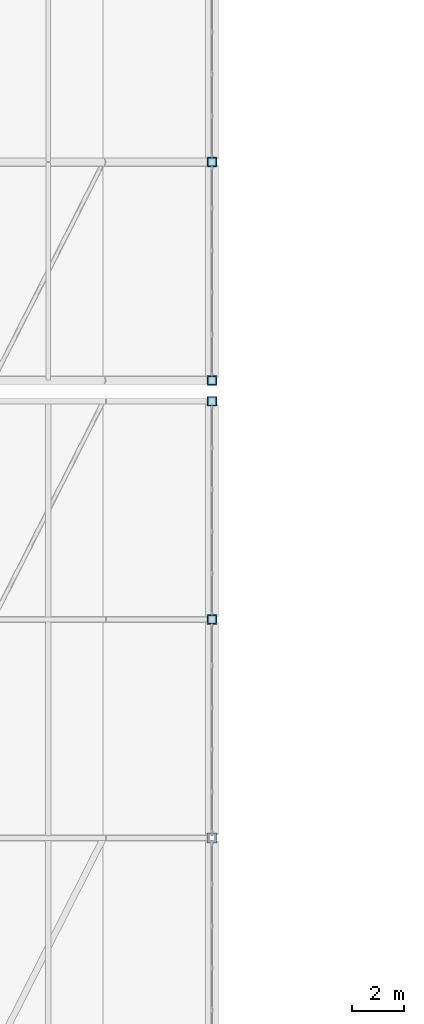
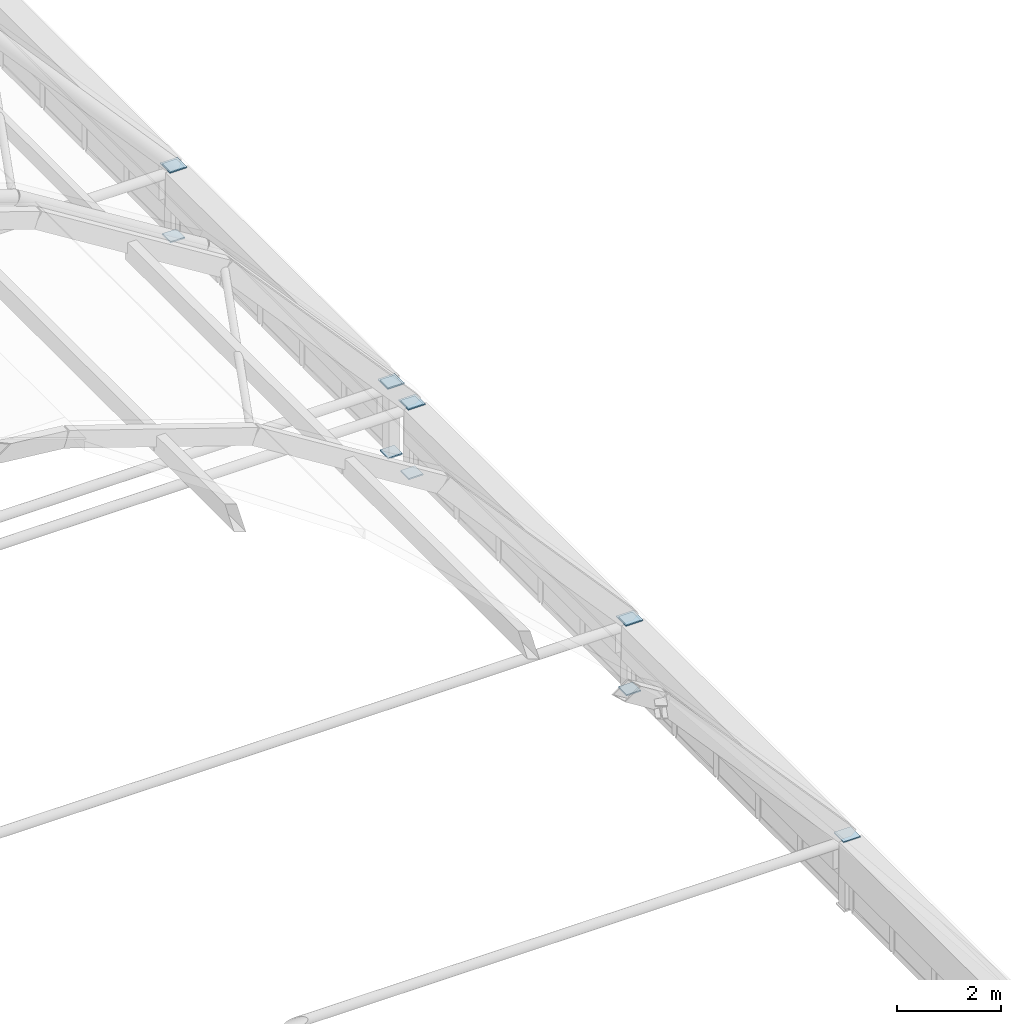
# One storey, part 100 of 114: 13 plates.
"""IFC4 building model written with IfcOpenShell, lengths in metres."""

from ifc_helpers import new_model, si_unit, direction, frame, origin, origin_2d, place, context, subcontext, project, spatial, rectangle, extrude, material, layer, layer_set, type_object, element, save


model = new_model("IFC4")

# Units and contexts
model_context = context("Model", 3, precision=1e-05, world=origin(), true_north=direction((0.0, 1.0)))
body_context = subcontext(model_context, "Body", "Model", "MODEL_VIEW")
ifc_project = project(units=[si_unit("LENGTHUNIT", "METRE"), si_unit("AREAUNIT", "SQUARE_METRE"), si_unit("VOLUMEUNIT", "CUBIC_METRE"), si_unit("PLANEANGLEUNIT", "RADIAN"), si_unit("MASSUNIT", "GRAM", prefix="KILO")], contexts=[model_context])

# Site, building, storey
site_placement = place(None, origin())
site = spatial("IfcSite", under=ifc_project, at=site_placement, CompositionType="ELEMENT")
building_placement = place(site_placement, origin())
building = spatial("IfcBuilding", under=site, at=building_placement, Name="Xazarin Passage Department Store", CompositionType="ELEMENT")
storey_placement = place(building_placement, frame((0.0, 0.0, 14.39990234375)))
storey = spatial("IfcBuildingStorey", under=building, at=storey_placement, Name="L03", CompositionType="ELEMENT", Elevation=14.39990234375)

# Plates
ifc_material = material(Name="Steel S355", Category="steel")
ifc_layer = layer(ifc_material, 0.02392578125)
ifc_layer_set = layer_set([ifc_layer], Name="Steel S355")
plate_type = type_object("IfcPlateType", Name="STR-PLT-CAP24", PredefinedType="USERDEFINED", material=ifc_layer_set)
for number, where, z_axis, x_axis, name in (
    (1, (101.60009765625, 42.0, -0.01611328125), (0.0, 0.0, 1.0), (1.0, 0.0, 0.0), "V2S Drum Column End Cap E-6-B"),
    (2, (101.60009765625, 42.0, 1.6357421875), (0.0, 0.0, 1.0), (1.0, 0.0, 0.0), "V2S Drum Column End Cap E-6-T"),
    (3, (101.60009765625, 50.39990234375, -0.01611328125), (0.0, 0.0, 1.0), (1.0, 0.0, 0.0), "V2S Drum Column End Cap E-7-B"),
    (4, (101.60009765625, 50.39990234375, 1.6357421875), (0.0, 0.0, 1.0), (1.0, 0.0, 0.0), "V2S Drum Column End Cap E-7-T"),
):
    element("IfcPlate", number, at=place(storey_placement, frame(where, z_axis=z_axis, x_axis=x_axis)), inside=storey, type_object=plate_type, Name=name, ObjectType="GUSSET PLATE", PredefinedType="USERDEFINED", context=body_context, shape_type="SweptSolid", body=[
        extrude(rectangle(XDim=0.320068359375, YDim=0.320068359375, at=origin_2d()), origin(), (0.0, 0.0, 1.0), 0.031982421875),
    ])
for number, where, z_axis, x_axis, name in (
    (5, (101.60009765625, 33.60009765625, 1.65185546875), (0.0, 0.0, 1.0), (1.0, 0.0, 0.0), "V2S Arch Springing Cap Plate E-5"),
    (6, (101.60009765625, 42.0, 1.65185546875), (0.0, 0.0, 1.0), (1.0, 0.0, 0.0), "V2S Arch Springing Cap Plate E-6"),
    (7, (101.60009765625, 50.39990234375, 1.65185546875), (0.0, 0.0, 1.0), (1.0, 0.0, 0.0), "V2S Arch Springing Cap Plate E-7"),
):
    element("IfcPlate", number, at=place(storey_placement, frame(where, z_axis=z_axis, x_axis=x_axis)), inside=storey, type_object=plate_type, Name=name, ObjectType="GUSSET PLATE", PredefinedType="USERDEFINED", context=body_context, shape_type="SweptSolid", body=[
        extrude(rectangle(XDim=0.3798828125, YDim=0.3798828125, at=origin_2d()), origin(), (0.0, 0.0, 1.0), 0.02392578125),
    ])
for number, where, z_axis, x_axis, name in (
    (8, (101.60009765625, 51.199951171875, -0.01611328125), (0.0, 0.0, 1.0), (1.0, 0.0, 0.0), "V2N Drum Column End Cap E-1-B"),
    (9, (101.60009765625, 51.199951171875, 1.6357421875), (0.0, 0.0, 1.0), (1.0, 0.0, 0.0), "V2N Drum Column End Cap E-1-T"),
    (10, (101.60009765625, 59.60009765625, -0.01611328125), (0.0, 0.0, 1.0), (1.0, 0.0, 0.0), "V2N Drum Column End Cap E-2-B"),
    (11, (101.60009765625, 59.60009765625, 1.6357421875), (0.0, 0.0, 1.0), (1.0, 0.0, 0.0), "V2N Drum Column End Cap E-2-T"),
):
    element("IfcPlate", number, at=place(storey_placement, frame(where, z_axis=z_axis, x_axis=x_axis)), inside=storey, type_object=plate_type, Name=name, ObjectType="GUSSET PLATE", PredefinedType="USERDEFINED", context=body_context, shape_type="SweptSolid", body=[
        extrude(rectangle(XDim=0.320068359375, YDim=0.320068359375, at=origin_2d()), origin(), (0.0, 0.0, 1.0), 0.031982421875),
    ])
for number, where, z_axis, x_axis, name in (
    (12, (101.60009765625, 51.199951171875, 1.65185546875), (0.0, 0.0, 1.0), (1.0, 0.0, 0.0), "V2N Arch Springing Cap Plate E-1"),
    (13, (101.60009765625, 59.60009765625, 1.65185546875), (0.0, 0.0, 1.0), (1.0, 0.0, 0.0), "V2N Arch Springing Cap Plate E-2"),
):
    element("IfcPlate", number, at=place(storey_placement, frame(where, z_axis=z_axis, x_axis=x_axis)), inside=storey, type_object=plate_type, Name=name, ObjectType="GUSSET PLATE", PredefinedType="USERDEFINED", context=body_context, shape_type="SweptSolid", body=[
        extrude(rectangle(XDim=0.3798828125, YDim=0.3798828125, at=origin_2d()), origin(), (0.0, 0.0, 1.0), 0.02392578125),
    ])

save(model, "model.ifc")
